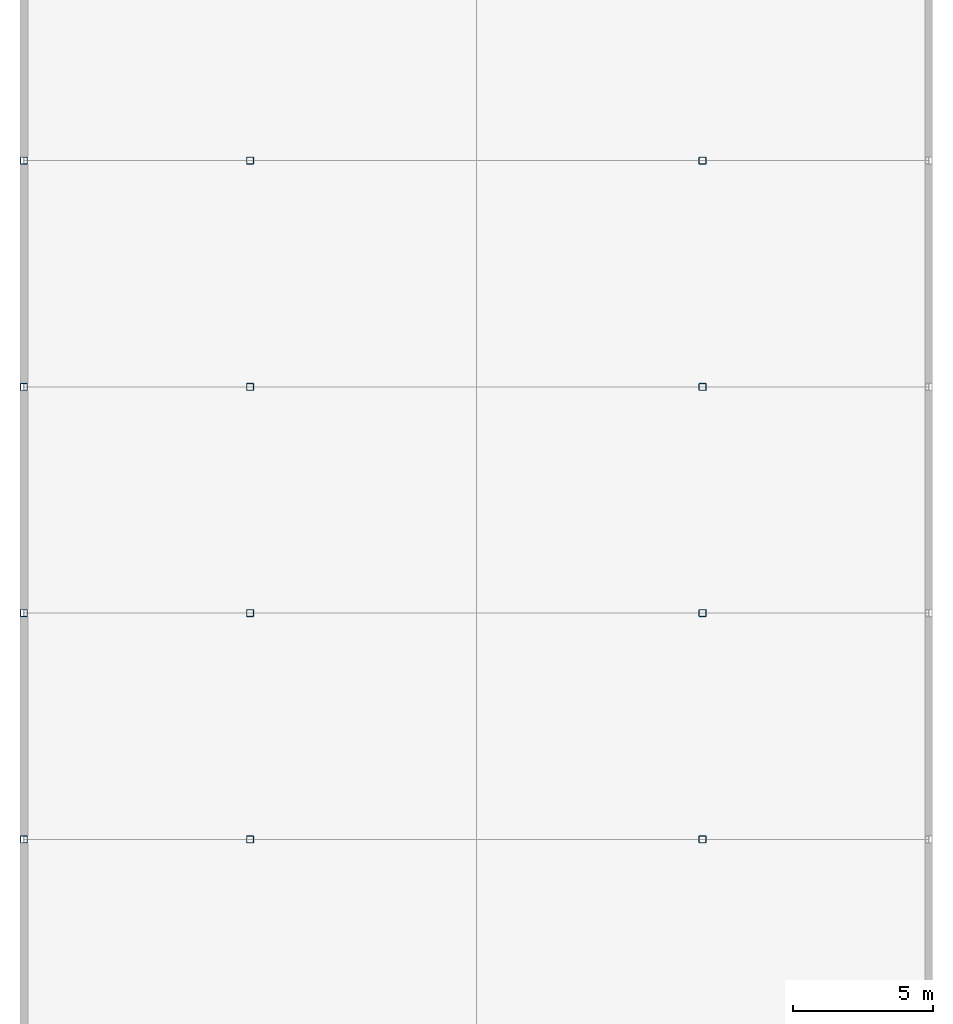
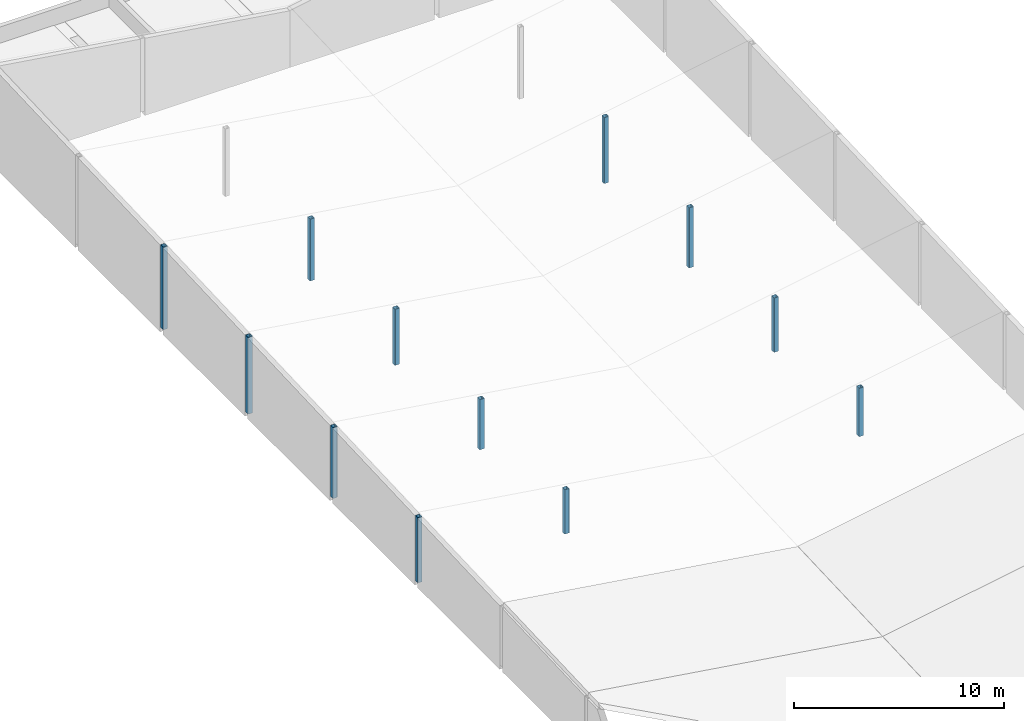
# One storey, part 3 of 8: 12 columns.
"""IFC4 building model written with IfcOpenShell, lengths in metres."""

from ifc_helpers import new_model, si_unit, direction, frame, origin, origin_2d, place, context, subcontext, project, spatial, hollow_rectangle, extrude, material, material_profile, profile_set, type_object, element, save


model = new_model("IFC4")

# Units and contexts
model_context = context("Model", 3, precision=1e-05, world=origin(), true_north=direction((0.0, 1.0)))
body_context = subcontext(model_context, "Body", "Model", "MODEL_VIEW")
ifc_project = project(units=[si_unit("LENGTHUNIT", "METRE"), si_unit("AREAUNIT", "SQUARE_METRE"), si_unit("VOLUMEUNIT", "CUBIC_METRE"), si_unit("PLANEANGLEUNIT", "RADIAN"), si_unit("MASSUNIT", "GRAM", prefix="KILO")], contexts=[model_context])

# Site, building, storey
site_placement = place(None, origin())
site = spatial("IfcSite", under=ifc_project, at=site_placement, CompositionType="ELEMENT")
building_placement = place(site_placement, origin())
building = spatial("IfcBuilding", under=site, at=building_placement, Name="Vaudrelin Polytechnic", CompositionType="ELEMENT")
storey_placement = place(building_placement, frame((0.0, 0.0, 36.2099609375)))
storey = spatial("IfcBuildingStorey", under=building, at=storey_placement, Name="ROOF", CompositionType="ELEMENT", Elevation=36.2099609375)

# Columns
ifc_material = material(Name="Steel CSA G40.21 350W", Category="steel")
ifc_material_profile = material_profile(ifc_material, hollow_rectangle(XDim=0.25390625, YDim=0.25390625, WallThickness=0.0126953125, InnerFilletRadius=0.0126953125, OuterFilletRadius=0.025390625, at=origin_2d()), Name="HSS254x254x12.7")
ifc_profile_set = profile_set([ifc_material_profile], Name="Steel CSA G40.21 350W")
column_type = type_object("IfcColumnType", Name="COL-C-HSS254", PredefinedType="COLUMN", material=ifc_profile_set)
column_1_placement = place(storey_placement, frame((137.699951171875, 64.800048828125, 0.0), z_axis=(0.0, 0.0, 1.0), x_axis=(1.0, 0.0, 0.0)))
element("IfcColumn", 1, at=column_1_placement, inside=storey, type_object=column_type, Name="Laboratory roof edge post 17-8", PredefinedType="COLUMN", context=body_context, shape_type="SweptSolid", body=[
    extrude(hollow_rectangle(XDim=0.25390625, YDim=0.25390625, WallThickness=0.0126953125, InnerFilletRadius=0.0126953125, OuterFilletRadius=0.025390625, at=origin_2d()), origin(), (0.0, 0.0, 1.0), 3.7919921875),
])
column_2_placement = place(storey_placement, frame((145.800048828125, 64.800048828125, 0.0), z_axis=(0.0, 0.0, 1.0), x_axis=(1.0, 0.0, 0.0)))
element("IfcColumn", 2, at=column_2_placement, inside=storey, type_object=column_type, Name="Laboratory roof edge post 18-8", PredefinedType="COLUMN", context=body_context, shape_type="SweptSolid", body=[
    extrude(hollow_rectangle(XDim=0.25390625, YDim=0.25390625, WallThickness=0.0126953125, InnerFilletRadius=0.0126953125, OuterFilletRadius=0.025390625, at=origin_2d()), origin(), (0.0, 0.0, 1.0), 2.581298828125),
])
column_3_placement = place(storey_placement, frame((162.0, 64.800048828125, 0.0), z_axis=(0.0, 0.0, 1.0), x_axis=(1.0, 0.0, 0.0)))
element("IfcColumn", 3, at=column_3_placement, inside=storey, type_object=column_type, Name="Laboratory roof edge post 20-8", PredefinedType="COLUMN", context=body_context, shape_type="SweptSolid", body=[
    extrude(hollow_rectangle(XDim=0.25390625, YDim=0.25390625, WallThickness=0.0126953125, InnerFilletRadius=0.0126953125, OuterFilletRadius=0.025390625, at=origin_2d()), origin(), (0.0, 0.0, 1.0), 2.8212890625),
])
column_4_placement = place(storey_placement, frame((137.699951171875, 72.89990234375, 0.0), z_axis=(0.0, 0.0, 1.0), x_axis=(1.0, 0.0, 0.0)))
element("IfcColumn", 4, at=column_4_placement, inside=storey, type_object=column_type, Name="Laboratory roof edge post 17-9", PredefinedType="COLUMN", context=body_context, shape_type="SweptSolid", body=[
    extrude(hollow_rectangle(XDim=0.25390625, YDim=0.25390625, WallThickness=0.0126953125, InnerFilletRadius=0.0126953125, OuterFilletRadius=0.025390625, at=origin_2d()), origin(), (0.0, 0.0, 1.0), 4.132080078125),
])
column_5_placement = place(storey_placement, frame((145.800048828125, 72.89990234375, 0.0), z_axis=(0.0, 0.0, 1.0), x_axis=(1.0, 0.0, 0.0)))
element("IfcColumn", 5, at=column_5_placement, inside=storey, type_object=column_type, Name="Laboratory roof edge post 18-9", PredefinedType="COLUMN", context=body_context, shape_type="SweptSolid", body=[
    extrude(hollow_rectangle(XDim=0.25390625, YDim=0.25390625, WallThickness=0.0126953125, InnerFilletRadius=0.0126953125, OuterFilletRadius=0.025390625, at=origin_2d()), origin(), (0.0, 0.0, 1.0), 2.921630859375),
])
column_6_placement = place(storey_placement, frame((162.0, 72.89990234375, 0.0), z_axis=(0.0, 0.0, 1.0), x_axis=(1.0, 0.0, 0.0)))
element("IfcColumn", 6, at=column_6_placement, inside=storey, type_object=column_type, Name="Laboratory roof edge post 20-9", PredefinedType="COLUMN", context=body_context, shape_type="SweptSolid", body=[
    extrude(hollow_rectangle(XDim=0.25390625, YDim=0.25390625, WallThickness=0.0126953125, InnerFilletRadius=0.0126953125, OuterFilletRadius=0.025390625, at=origin_2d()), origin(), (0.0, 0.0, 1.0), 3.16162109375),
])
column_7_placement = place(storey_placement, frame((137.699951171875, 81.0, 0.0), z_axis=(0.0, 0.0, 1.0), x_axis=(1.0, 0.0, 0.0)))
element("IfcColumn", 7, at=column_7_placement, inside=storey, type_object=column_type, Name="Laboratory roof edge post 17-10", PredefinedType="COLUMN", context=body_context, shape_type="SweptSolid", body=[
    extrude(hollow_rectangle(XDim=0.25390625, YDim=0.25390625, WallThickness=0.0126953125, InnerFilletRadius=0.0126953125, OuterFilletRadius=0.025390625, at=origin_2d()), origin(), (0.0, 0.0, 1.0), 4.472412109375),
])
column_8_placement = place(storey_placement, frame((145.800048828125, 81.0, 0.0), z_axis=(0.0, 0.0, 1.0), x_axis=(1.0, 0.0, 0.0)))
element("IfcColumn", 8, at=column_8_placement, inside=storey, type_object=column_type, Name="Laboratory roof edge post 18-10", PredefinedType="COLUMN", context=body_context, shape_type="SweptSolid", body=[
    extrude(hollow_rectangle(XDim=0.25390625, YDim=0.25390625, WallThickness=0.0126953125, InnerFilletRadius=0.0126953125, OuterFilletRadius=0.025390625, at=origin_2d()), origin(), (0.0, 0.0, 1.0), 3.26171875),
])
column_9_placement = place(storey_placement, frame((162.0, 81.0, 0.0), z_axis=(0.0, 0.0, 1.0), x_axis=(1.0, 0.0, 0.0)))
element("IfcColumn", 9, at=column_9_placement, inside=storey, type_object=column_type, Name="Laboratory roof edge post 20-10", PredefinedType="COLUMN", context=body_context, shape_type="SweptSolid", body=[
    extrude(hollow_rectangle(XDim=0.25390625, YDim=0.25390625, WallThickness=0.0126953125, InnerFilletRadius=0.0126953125, OuterFilletRadius=0.025390625, at=origin_2d()), origin(), (0.0, 0.0, 1.0), 3.501953125),
])
column_10_placement = place(storey_placement, frame((137.699951171875, 89.10009765625, 0.0), z_axis=(0.0, 0.0, 1.0), x_axis=(1.0, 0.0, 0.0)))
element("IfcColumn", 10, at=column_10_placement, inside=storey, type_object=column_type, Name="Laboratory roof edge post 17-11", PredefinedType="COLUMN", context=body_context, shape_type="SweptSolid", body=[
    extrude(hollow_rectangle(XDim=0.25390625, YDim=0.25390625, WallThickness=0.0126953125, InnerFilletRadius=0.0126953125, OuterFilletRadius=0.025390625, at=origin_2d()), origin(), (0.0, 0.0, 1.0), 4.8125),
])
column_11_placement = place(storey_placement, frame((145.800048828125, 89.10009765625, 0.0), z_axis=(0.0, 0.0, 1.0), x_axis=(1.0, 0.0, 0.0)))
element("IfcColumn", 11, at=column_11_placement, inside=storey, type_object=column_type, Name="Laboratory roof edge post 18-11", PredefinedType="COLUMN", context=body_context, shape_type="SweptSolid", body=[
    extrude(hollow_rectangle(XDim=0.25390625, YDim=0.25390625, WallThickness=0.0126953125, InnerFilletRadius=0.0126953125, OuterFilletRadius=0.025390625, at=origin_2d()), origin(), (0.0, 0.0, 1.0), 3.60205078125),
])
column_12_placement = place(storey_placement, frame((162.0, 89.10009765625, 0.0), z_axis=(0.0, 0.0, 1.0), x_axis=(1.0, 0.0, 0.0)))
element("IfcColumn", 12, at=column_12_placement, inside=storey, type_object=column_type, Name="Laboratory roof edge post 20-11", PredefinedType="COLUMN", context=body_context, shape_type="SweptSolid", body=[
    extrude(hollow_rectangle(XDim=0.25390625, YDim=0.25390625, WallThickness=0.0126953125, InnerFilletRadius=0.0126953125, OuterFilletRadius=0.025390625, at=origin_2d()), origin(), (0.0, 0.0, 1.0), 3.842041015625),
])

save(model, "model.ifc")
